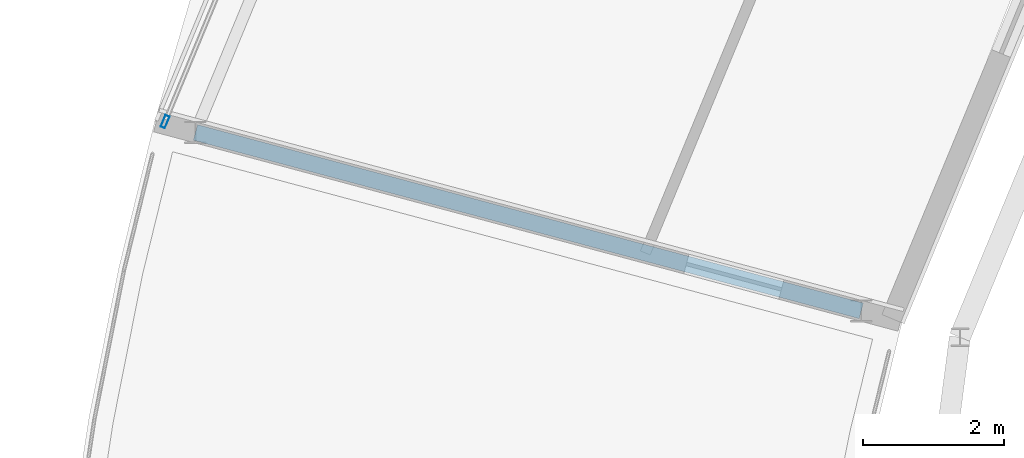
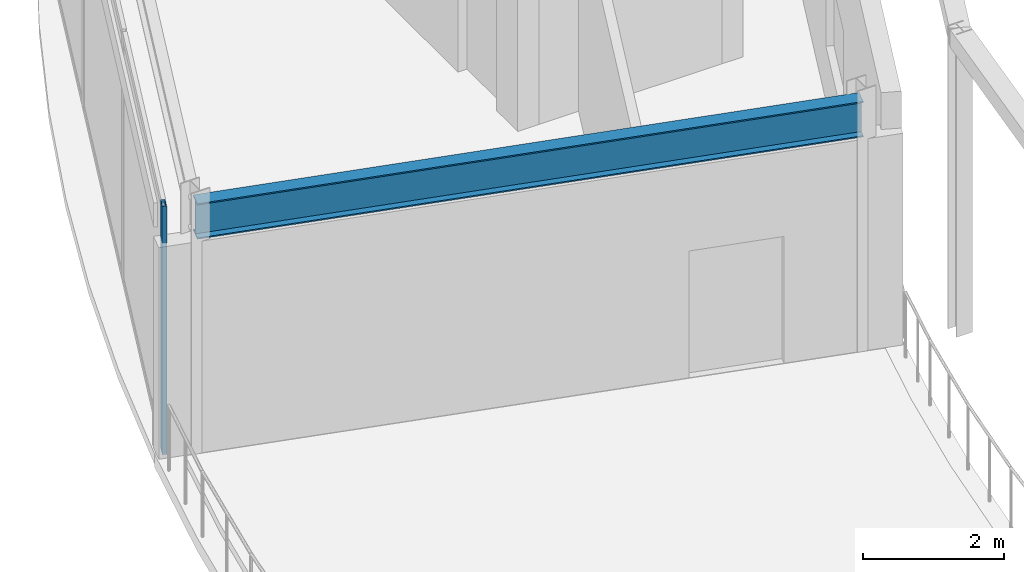
# One storey, part 15 of 89: 1 beam, 1 member, 1 element without a shape of its own.
"""IFC4 building model written with IfcOpenShell, lengths in metres."""

from ifc_helpers import new_model, si_unit, direction, frame, origin, origin_2d, place, context, subcontext, project, spatial, hollow_rectangle, i_section, extrude, material, material_profile, profile_set, type_object, element, aggregate, save


model = new_model("IFC4")

# Units and contexts
model_context = context("Model", 3, precision=1e-05, world=origin(), true_north=direction((0.0, 1.0)))
body_context = subcontext(model_context, "Body", "Model", "MODEL_VIEW")
ifc_project = project(units=[si_unit("LENGTHUNIT", "METRE"), si_unit("AREAUNIT", "SQUARE_METRE"), si_unit("VOLUMEUNIT", "CUBIC_METRE"), si_unit("PLANEANGLEUNIT", "RADIAN"), si_unit("MASSUNIT", "GRAM", prefix="KILO")], contexts=[model_context])

# Site, building, storey
site_placement = place(None, origin())
site = spatial("IfcSite", under=ifc_project, at=site_placement, CompositionType="ELEMENT")
building_placement = place(site_placement, origin())
building = spatial("IfcBuilding", under=site, at=building_placement, Name="Almandine Court Research Institute", CompositionType="ELEMENT")
storey_placement = place(building_placement, frame((0.0, 0.0, 18.89990234375)))
storey = spatial("IfcBuildingStorey", under=building, at=storey_placement, Name="L04", CompositionType="ELEMENT", Elevation=18.89990234375)

# Beam
ifc_material_1 = material(Name="Steel ASTM A992 Grade 50", Category="steel")
ifc_material_profile_1 = material_profile(ifc_material_1, i_section(OverallWidth=0.22998046875, OverallDepth=0.616943359375, WebThickness=0.012939453125, FlangeThickness=0.02197265625, at=origin_2d()), Name="W610x140")
ifc_profile_set_1 = profile_set([ifc_material_profile_1], Name="Steel ASTM A992 Grade 50")
beam_type = type_object("IfcBeamType", Name="Beam-G-02", PredefinedType="BEAM", material=ifc_profile_set_1)
beam_placement = place(storey_placement, frame((49.23193359375, 66.1201171875, 4.0), z_axis=(-0.965937821551, 0.258774274024, 0.0), x_axis=(-0.258774274024, -0.965937821551, 0.0)))
element("IfcBeam", 1, at=beam_placement, inside=storey, type_object=beam_type, Name="L04 Drum Radial Girder 11", PredefinedType="BEAM", context=body_context, shape_type="SweptSolid", body=[
    extrude(i_section(OverallWidth=0.22998046875, OverallDepth=0.616943359375, WebThickness=0.012939453125, FlangeThickness=0.02197265625, at=origin_2d()), origin(), (0.0, 0.0, 1.0), 9.799560546875),
])

# Curtain wall, member
ifc_material_2 = material(Name="Unitised Curtain Wall Framing and Solar Glazing", Category="glass")
curtain_wall_type = type_object("IfcCurtainWallType", Name="CW-CWJ-21", PredefinedType="USERDEFINED", material=ifc_material_2)
curtain_wall_placement = place(storey_placement, origin())
curtain_wall = element("IfcCurtainWall", 2, at=curtain_wall_placement, inside=storey, type_object=curtain_wall_type, Name="L04 Stacked-Ring Drum Outer Solar Jali Screen 10", ObjectType="SOLAR JALI SCREEN", PredefinedType="USERDEFINED")
ifc_material_3 = material(Name="Anodised Aluminium AW-6063-T6", Category="aluminium")
ifc_material_profile_2 = material_profile(ifc_material_3, hollow_rectangle(XDim=0.06494140625, YDim=0.179931640625, WallThickness=0.00390625, at=origin_2d()), Name="ALU RHS 65x180x4")
ifc_profile_set_2 = profile_set([ifc_material_profile_2], Name="Anodised Aluminium AW-6063-T6")
member_type = type_object("IfcMemberType", Name="CWMul-65x180", PredefinedType="MULLION", material=ifc_profile_set_2)
member_placement = place(storey_placement, frame((39.33544921875, 68.80908203125, 0.0), z_axis=(0.0, 0.0, 1.0), x_axis=(-0.923888124321, 0.382662689242, 0.0)))
member = element("IfcMember", 3, at=member_placement, type_object=member_type, Name="CWJ-21 mullion 1", PredefinedType="MULLION", context=body_context, shape_type="SweptSolid", body=[
    extrude(hollow_rectangle(XDim=0.06494140625, YDim=0.179931640625, WallThickness=0.00390625, at=origin_2d()), origin(), (0.0, 0.0, 1.0), 4.31005859375),
])
aggregate(curtain_wall, [member])

save(model, "model.ifc")
